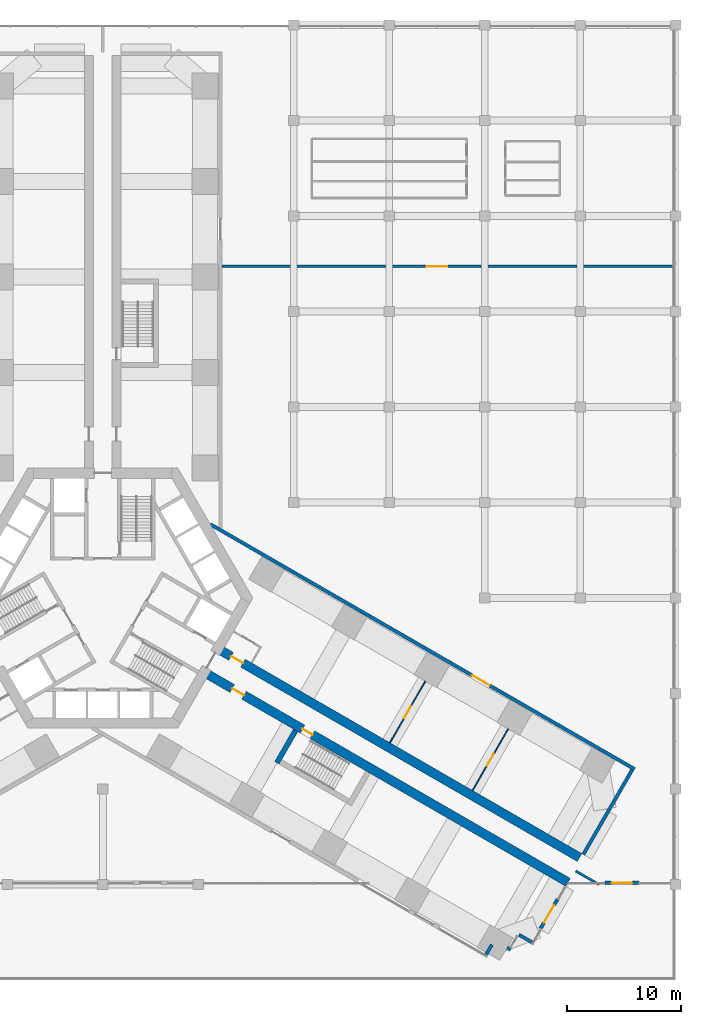
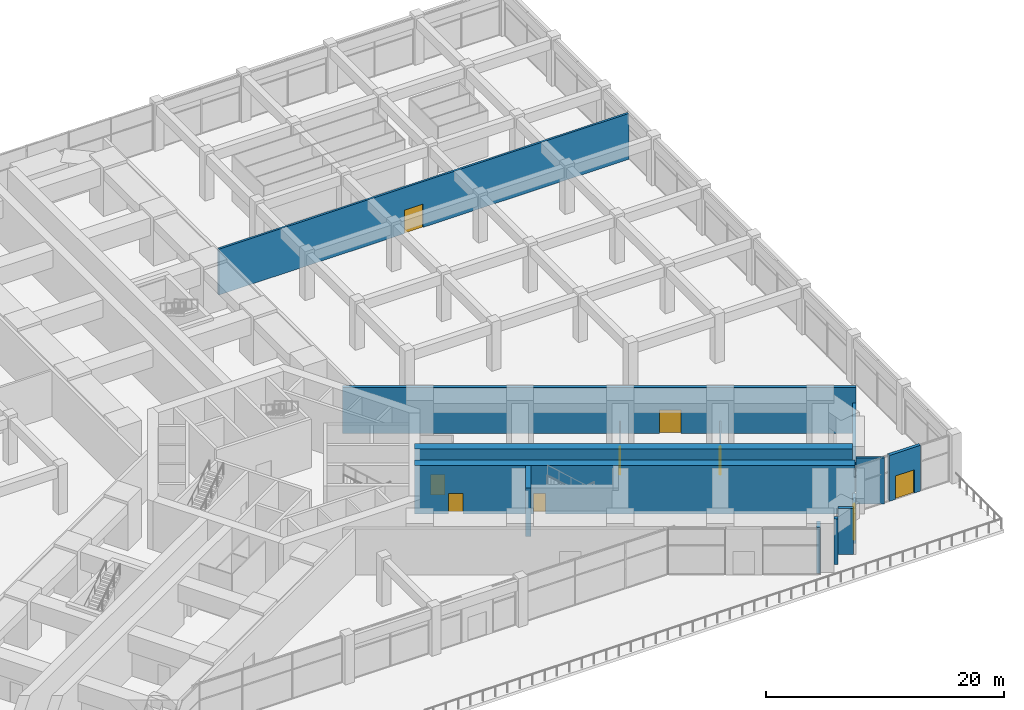
# One storey, part 30 of 34: 14 walls, 9 doors, 9 openings.
"""IFC4 building model written with IfcOpenShell, lengths in metres."""

from ifc_helpers import new_model, si_unit, direction, frame, frame_2d, origin, place, context, subcontext, project, spatial, rectangle, extrude, material, layer, layer_set, type_object, element, fill, save


model = new_model("IFC4")

# Units and contexts
model_context = context("Model", 3, precision=1e-05, world=origin(), true_north=direction((0.0, 1.0)))
body_context = subcontext(model_context, "Body", "Model", "MODEL_VIEW")
ifc_project = project(units=[si_unit("LENGTHUNIT", "METRE"), si_unit("AREAUNIT", "SQUARE_METRE"), si_unit("VOLUMEUNIT", "CUBIC_METRE"), si_unit("PLANEANGLEUNIT", "RADIAN"), si_unit("MASSUNIT", "GRAM", prefix="KILO")], contexts=[model_context])

# Site, building, storey
site_placement = place(None, origin())
site = spatial("IfcSite", under=ifc_project, at=site_placement, CompositionType="ELEMENT")
building_placement = place(site_placement, origin())
building = spatial("IfcBuilding", under=site, at=building_placement, Name="Impinga Residences", CompositionType="ELEMENT")
storey_placement = place(building_placement, frame((0.0, 0.0, 11.0)))
storey = spatial("IfcBuildingStorey", under=building, at=storey_placement, Name="L02", CompositionType="ELEMENT", Elevation=11.0)

# Wall, opening, door
ifc_material_1 = material(Name="Concrete C70/85", Category="concrete")
ifc_layer_1 = layer(ifc_material_1, 0.800048828125)
ifc_layer_set_1 = layer_set([ifc_layer_1], Name="Concrete C70/85")
wall_type_1 = type_object("IfcWallType", Name="BW0 corridor buttress wall, B3 to L04 800", PredefinedType="SHEAR", material=ifc_layer_set_1)
wall_1_placement = place(storey_placement, frame((10.1103515625, -4.451416015625, 0.0), z_axis=(0.0, 0.0, 1.0), x_axis=(0.866025284237, -0.500000207062, 0.0)))
wall_1 = element("IfcWall", 1, at=wall_1_placement, inside=storey, type_object=wall_type_1, Name="Corridor wall BW0 EC L02", PredefinedType="SHEAR", context=body_context, shape_type="SweptSolid", body=[
    extrude(rectangle(XDim=36.75, YDim=0.800048828125, at=frame_2d((18.375, 0.0))), origin(), (0.0, 0.0, 1.0), 5.0),
])
opening_1_placement = place(wall_1_placement, frame((1.35009765625, 0.0, 0.0)))
opening_1 = element("IfcOpeningElement", 2, at=opening_1_placement, cuts=wall_1, Name="Opening D3", PredefinedType="OPENING", context=body_context, shape_type="SweptSolid", body=[
    extrude(rectangle(XDim=1.199951171875, YDim=2.10009765625, at=frame_2d((0.60009765625, 1.050048828125))), frame((0.0, 0.409912109375, 0.0), z_axis=(0.0, -1.0, 0.0), x_axis=(1.0, 0.0, 0.0)), (0.0, 0.0, 1.0), 0.820068359375),
])
ifc_material_2 = material(Name="Timber door set", Category="wood")
door_type_1 = type_object("IfcDoorType", Name="D3 room door, leaf and a half 1200x2100", OperationType="DOUBLE_SWING_LEFT", PredefinedType="DOOR", material=ifc_material_2)
door_1_placement = place(opening_1_placement, origin())
door_1 = element("IfcDoor", 3, at=door_1_placement, inside=storey, type_object=door_type_1, Name="Pool plant room lobby door L02-EA1", OperationType="DOUBLE_SWING_LEFT", OverallHeight=2.10009765625, OverallWidth=1.199951171875, PredefinedType="DOOR", context=body_context, shape_type="SweptSolid", body=[
    extrude(rectangle(XDim=1.199951171875, YDim=2.10009765625, at=frame_2d((0.60009765625, 1.050048828125))), frame((0.0, 0.02490234375, 0.0), z_axis=(0.0, -1.0, 0.0), x_axis=(1.0, 0.0, 0.0)), (0.0, 0.0, 1.0), 0.050048828125),
])
fill(opening_1, door_1)

# Wall, openings, doors
wall_2_placement = place(storey_placement, frame((8.910400390625, -6.530029296875, 0.0), z_axis=(0.0, 0.0, 1.0), x_axis=(0.866024404313, -0.500001731131, 0.0)))
wall_2 = element("IfcWall", 4, at=wall_2_placement, inside=storey, type_object=wall_type_1, Name="Corridor wall BW0 ED L02", PredefinedType="SHEAR", context=body_context, shape_type="SweptSolid", body=[
    extrude(rectangle(XDim=36.952880859375, YDim=0.800048828125, at=frame_2d((18.4765625, 0.0))), origin(), (0.0, 0.0, 1.0), 5.0),
])
opening_2_placement = place(wall_2_placement, frame((10.0, 0.0, 0.0)))
opening_2 = element("IfcOpeningElement", 5, at=opening_2_placement, cuts=wall_2, Name="Opening D5", PredefinedType="OPENING", context=body_context, shape_type="SweptSolid", body=[
    extrude(rectangle(XDim=1.0, YDim=2.10009765625, at=frame_2d((0.5, 1.050048828125))), frame((0.0, 0.409912109375, 0.0), z_axis=(0.0, -1.0, 0.0), x_axis=(1.0, 0.0, 0.0)), (0.0, 0.0, 1.0), 0.820068359375),
])
opening_3_placement = place(wall_2_placement, frame((2.85009765625, 0.0, 0.0)))
opening_3 = element("IfcOpeningElement", 6, at=opening_3_placement, cuts=wall_2, Name="Opening D3", PredefinedType="OPENING", context=body_context, shape_type="SweptSolid", body=[
    extrude(rectangle(XDim=1.199951171875, YDim=2.10009765625, at=frame_2d((0.60009765625, 1.050048828125))), frame((0.0, 0.409912109375, 0.0), z_axis=(0.0, -1.0, 0.0), x_axis=(1.0, 0.0, 0.0)), (0.0, 0.0, 1.0), 0.820068359375),
])
door_2_placement = place(opening_3_placement, origin())
door_2 = element("IfcDoor", 7, at=door_2_placement, inside=storey, type_object=door_type_1, Name="Studio door L02-EF1", OperationType="DOUBLE_SWING_LEFT", OverallHeight=2.10009765625, OverallWidth=1.199951171875, PredefinedType="DOOR", context=body_context, shape_type="SweptSolid", body=[
    extrude(rectangle(XDim=1.199951171875, YDim=2.10009765625, at=frame_2d((0.60009765625, 1.050048828125))), frame((0.0, 0.02490234375, 0.0), z_axis=(0.0, -1.0, 0.0), x_axis=(1.0, 0.0, 0.0)), (0.0, 0.0, 1.0), 0.050048828125),
])
fill(opening_3, door_2)
door_type_2 = type_object("IfcDoorType", Name="D5 stair door 1000x2100", OperationType="SINGLE_SWING_LEFT", PredefinedType="DOOR", material=ifc_material_2)
door_3_placement = place(opening_2_placement, origin())
door_3 = element("IfcDoor", 8, at=door_3_placement, inside=storey, type_object=door_type_2, Name="Wing stair door E", OperationType="SINGLE_SWING_LEFT", OverallHeight=2.10009765625, OverallWidth=1.0, PredefinedType="DOOR", context=body_context, shape_type="SweptSolid", body=[
    extrude(rectangle(XDim=1.0, YDim=2.10009765625, at=frame_2d((0.5, 1.050048828125))), frame((0.0, 0.02490234375, 0.0), z_axis=(0.0, -1.0, 0.0), x_axis=(1.0, 0.0, 0.0)), (0.0, 0.0, 1.0), 0.050048828125),
])
fill(opening_2, door_3)

# Wall, opening, door
ifc_material_3 = material(Name="Concrete blockwork", Category="masonry")
ifc_layer_2 = layer(ifc_material_3, 0.10009765625)
ifc_layer_set_2 = layer_set([ifc_layer_2], Name="CP1 core room partition, blockwork 100")
wall_type_2 = type_object("IfcWallType", Name="CP1 core room partition, blockwork 100", PredefinedType="PARTITIONING", material=ifc_layer_set_2)
wall_3_placement = place(storey_placement, frame((25.249267578125, -12.730224609375, 0.0), z_axis=(0.0, 0.0, 1.0), x_axis=(0.499987320047, 0.866032724435, 0.0)))
wall_3 = element("IfcWall", 9, at=wall_3_placement, inside=storey, type_object=wall_type_2, Name="Core room partition, blockwork L02-EA1:PS1", PredefinedType="PARTITIONING", context=body_context, shape_type="SweptSolid", body=[
    extrude(rectangle(XDim=6.250244140625, YDim=0.10009765625, at=frame_2d((3.125, 0.0))), origin(), (0.0, 0.0, 1.0), 2.89990234375),
])
opening_4_placement = place(wall_3_placement, frame((2.52490234375, 0.0, 0.0)))
opening_4 = element("IfcOpeningElement", 10, at=opening_4_placement, cuts=wall_3, Name="Opening D3", PredefinedType="OPENING", context=body_context, shape_type="SweptSolid", body=[
    extrude(rectangle(XDim=1.199951171875, YDim=2.10009765625, at=frame_2d((0.60009765625, 1.050048828125))), frame((0.0, 0.06005859375, 0.0), z_axis=(0.0, -1.0, 0.0), x_axis=(1.0, 0.0, 0.0)), (0.0, 0.0, 1.0), 0.1201171875),
])
door_4_placement = place(opening_4_placement, origin())
door_4 = element("IfcDoor", 11, at=door_4_placement, inside=storey, type_object=door_type_1, Name="Chemical store door L02-EA1", OperationType="DOUBLE_SWING_LEFT", OverallHeight=2.10009765625, OverallWidth=1.199951171875, PredefinedType="DOOR", context=body_context, shape_type="SweptSolid", body=[
    extrude(rectangle(XDim=1.199951171875, YDim=2.10009765625, at=frame_2d((0.60009765625, 1.050048828125))), frame((0.0, 0.02490234375, 0.0), z_axis=(0.0, -1.0, 0.0), x_axis=(1.0, 0.0, 0.0)), (0.0, 0.0, 1.0), 0.050048828125),
])
fill(opening_4, door_4)

wall_4_placement = place(storey_placement, frame((32.52392578125, -16.93017578125, 0.0), z_axis=(0.0, 0.0, 1.0), x_axis=(0.500004234368, 0.866022959057, 0.0)))
wall_4 = element("IfcWall", 12, at=wall_4_placement, inside=storey, type_object=wall_type_2, Name="Core room partition, blockwork L02-EA1:PS2", PredefinedType="PARTITIONING", context=body_context, shape_type="SweptSolid", body=[
    extrude(rectangle(XDim=6.25, YDim=0.10009765625, at=frame_2d((3.125, 0.0))), origin(), (0.0, 0.0, 1.0), 2.89990234375),
])
opening_5_placement = place(wall_4_placement, frame((2.52490234375, 0.0, 0.0)))
opening_5 = element("IfcOpeningElement", 13, at=opening_5_placement, cuts=wall_4, Name="Opening D3", PredefinedType="OPENING", context=body_context, shape_type="SweptSolid", body=[
    extrude(rectangle(XDim=1.199951171875, YDim=2.10009765625, at=frame_2d((0.60009765625, 1.050048828125))), frame((0.0, 0.06005859375, 0.0), z_axis=(0.0, -1.0, 0.0), x_axis=(1.0, 0.0, 0.0)), (0.0, 0.0, 1.0), 0.1201171875),
])
door_5_placement = place(opening_5_placement, origin())
door_5 = element("IfcDoor", 14, at=door_5_placement, inside=storey, type_object=door_type_1, Name="Pool plant room door L02-EA1", OperationType="DOUBLE_SWING_LEFT", OverallHeight=2.10009765625, OverallWidth=1.199951171875, PredefinedType="DOOR", context=body_context, shape_type="SweptSolid", body=[
    extrude(rectangle(XDim=1.199951171875, YDim=2.10009765625, at=frame_2d((0.60009765625, 1.050048828125))), frame((0.0, 0.02490234375, 0.0), z_axis=(0.0, -1.0, 0.0), x_axis=(1.0, 0.0, 0.0)), (0.0, 0.0, 1.0), 0.050048828125),
])
fill(opening_5, door_5)

ifc_material_4 = material(Name="Stone facing on blockwork", Category="masonry")
ifc_layer_3 = layer(ifc_material_4, 0.300048828125)
ifc_layer_set_3 = layer_set([ifc_layer_3], Name="EW2 external wall, stone facing on blockwork 300")
wall_type_3 = type_object("IfcWallType", Name="EW2 external wall, stone facing on blockwork 300", PredefinedType="SOLIDWALL", material=ifc_layer_set_3)
wall_5_placement = place(storey_placement, frame((47.156494140625, -25.050048828125, 0.0), z_axis=(0.0, 0.0, 1.0), x_axis=(-1.0, 0.0, 0.0)))
wall_5 = element("IfcWall", 15, at=wall_5_placement, inside=storey, type_object=wall_type_3, Name="External wall EW2 L02", PredefinedType="SOLIDWALL", context=body_context, shape_type="SweptSolid", body=[
    extrude(rectangle(XDim=3.0, YDim=0.300048828125, at=frame_2d((1.5, 0.0))), origin(), (0.0, 0.0, 1.0), 4.699951171875),
])
opening_6_placement = place(wall_5_placement, frame((0.60009765625, 0.0, 0.0)))
opening_6 = element("IfcOpeningElement", 16, at=opening_6_placement, cuts=wall_5, Name="Opening TD2", PredefinedType="OPENING", context=body_context, shape_type="SweptSolid", body=[
    extrude(rectangle(XDim=1.800048828125, YDim=2.39990234375, at=frame_2d((0.89990234375, 1.199951171875))), frame((0.0, 0.159912109375, 0.0), z_axis=(0.0, -1.0, 0.0), x_axis=(1.0, 0.0, 0.0)), (0.0, 0.0, 1.0), 0.320068359375),
])
ifc_material_5 = material(Name="Glazed aluminium door", Category="aluminium")
door_type_3 = type_object("IfcDoorType", Name="TD2 terrace door pair 1800x2400", OperationType="DOUBLE_DOOR_SINGLE_SWING", PredefinedType="DOOR", material=ifc_material_5)
door_6_placement = place(opening_6_placement, origin())
door_6 = element("IfcDoor", 17, at=door_6_placement, inside=storey, type_object=door_type_3, Name="Terrace doors L02", OperationType="DOUBLE_DOOR_SINGLE_SWING", OverallHeight=2.39990234375, OverallWidth=1.800048828125, PredefinedType="DOOR", context=body_context, shape_type="SweptSolid", body=[
    extrude(rectangle(XDim=1.800048828125, YDim=2.39990234375, at=frame_2d((0.89990234375, 1.199951171875))), frame((0.0, 0.02490234375, 0.0), z_axis=(0.0, -1.0, 0.0), x_axis=(1.0, 0.0, 0.0)), (0.0, 0.0, 1.0), 0.050048828125),
])
fill(opening_6, door_6)

wall_6_placement = place(storey_placement, frame((39.999755859375, -26.4814453125, 0.0), z_axis=(0.0, 0.0, 1.0), x_axis=(-0.499990139034, -0.866031096941, 0.0)))
wall_6 = element("IfcWall", 18, at=wall_6_placement, inside=storey, type_object=wall_type_3, Name="External wall EW2 L02", PredefinedType="SOLIDWALL", context=body_context, shape_type="SweptSolid", body=[
    extrude(rectangle(XDim=3.0, YDim=0.300048828125, at=frame_2d((1.5, 0.0))), origin(), (0.0, 0.0, 1.0), 3.10009765625),
])
opening_7_placement = place(wall_6_placement, frame((0.60009765625, 0.0, 0.0)))
opening_7 = element("IfcOpeningElement", 19, at=opening_7_placement, cuts=wall_6, Name="Opening TD2", PredefinedType="OPENING", context=body_context, shape_type="SweptSolid", body=[
    extrude(rectangle(XDim=1.800048828125, YDim=2.39990234375, at=frame_2d((0.89990234375, 1.199951171875))), frame((0.0, 0.159912109375, 0.0), z_axis=(0.0, -1.0, 0.0), x_axis=(1.0, 0.0, 0.0)), (0.0, 0.0, 1.0), 0.320068359375),
])
door_7_placement = place(opening_7_placement, origin())
door_7 = element("IfcDoor", 20, at=door_7_placement, inside=storey, type_object=door_type_3, Name="Terrace doors L02", OperationType="DOUBLE_DOOR_SINGLE_SWING", OverallHeight=2.39990234375, OverallWidth=1.800048828125, PredefinedType="DOOR", context=body_context, shape_type="SweptSolid", body=[
    extrude(rectangle(XDim=1.800048828125, YDim=2.39990234375, at=frame_2d((0.89990234375, 1.199951171875))), frame((0.0, 0.02490234375, 0.0), z_axis=(0.0, -1.0, 0.0), x_axis=(1.0, 0.0, 0.0)), (0.0, 0.0, 1.0), 0.050048828125),
])
fill(opening_7, door_7)

# Walls
wall_7_placement = place(storey_placement, frame((37.752685546875, -30.283447265625, 0.0), z_axis=(0.0, 0.0, 1.0), x_axis=(-0.866101796549, 0.4998676605, 0.0)))
element("IfcWall", 21, at=wall_7_placement, inside=storey, type_object=wall_type_3, Name="External wall EW2 L02", PredefinedType="SOLIDWALL", context=body_context, shape_type="SweptSolid", body=[
    extrude(rectangle(XDim=1.309814453125, YDim=0.300048828125, at=frame_2d((0.65478515625, 0.0))), origin(), (0.0, 0.0, 1.0), 4.699951171875),
])
wall_8_placement = place(storey_placement, frame((35.87255859375, -30.93017578125, 0.0), z_axis=(0.0, 0.0, 1.0), x_axis=(-0.865939549016, 0.500148675346, 0.0)))
element("IfcWall", 22, at=wall_8_placement, inside=storey, type_object=wall_type_3, Name="External wall EW2 L02", PredefinedType="SOLIDWALL", context=body_context, shape_type="SweptSolid", body=[
    extrude(rectangle(XDim=0.34716796875, YDim=0.300048828125, at=frame_2d((0.173583984375, 0.0))), origin(), (0.0, 0.0, 1.0), 4.699951171875),
])
wall_9_placement = place(storey_placement, frame((34.218505859375, -30.494873046875, 0.0), z_axis=(0.0, 0.0, 1.0), x_axis=(-0.499953773667, -0.866052090925, 0.0)))
element("IfcWall", 23, at=wall_9_placement, inside=storey, type_object=wall_type_3, Name="External wall EW2 L02", PredefinedType="SOLIDWALL", context=body_context, shape_type="SweptSolid", body=[
    extrude(rectangle(XDim=1.0048828125, YDim=0.300048828125, at=frame_2d((0.50244140625, 0.0))), origin(), (0.0, 0.0, 1.0), 4.699951171875),
])
ifc_layer_4 = layer(ifc_material_3, 0.199951171875)
ifc_layer_set_4 = layer_set([ifc_layer_4], Name="PW2 podium compartment wall 200")
wall_type_4 = type_object("IfcWallType", Name="PW2 podium compartment wall 200", PredefinedType="SOLIDWALL", material=ifc_layer_set_4)
wall_10_placement = place(storey_placement, frame((41.596435546875, -24.015869140625, 0.0), z_axis=(0.0, 0.0, 1.0), x_axis=(0.866065436262, -0.499930655304, 0.0)))
element("IfcWall", 24, at=wall_10_placement, inside=storey, type_object=wall_type_4, Name="Podium compartment wall L02:REG:E", PredefinedType="SOLIDWALL", context=body_context, shape_type="SweptSolid", body=[
    extrude(rectangle(XDim=2.368408203125, YDim=0.199951171875, at=frame_2d((1.18408203125, 0.0))), origin(), (0.0, 0.0, 1.0), 4.699951171875),
])

# Wall, opening, door
wall_11_placement = place(storey_placement, frame((10.5, 29.18310546875, 0.0), z_axis=(0.0, 0.0, 1.0), x_axis=(1.0, 0.0, 0.0)))
wall_11 = element("IfcWall", 25, at=wall_11_placement, inside=storey, type_object=wall_type_4, Name="Podium compartment wall L02:REG:NE:SPLIT", PredefinedType="SOLIDWALL", context=body_context, shape_type="SweptSolid", body=[
    extrude(rectangle(XDim=39.737060546875, YDim=0.199951171875, at=frame_2d((19.86865234375, 0.0))), origin(), (0.0, 0.0, 1.0), 4.699951171875),
])
opening_8_placement = place(wall_11_placement, frame((18.0, 0.0, 0.0)))
opening_8 = element("IfcOpeningElement", 26, at=opening_8_placement, cuts=wall_11, Name="Opening D7", PredefinedType="OPENING", context=body_context, shape_type="SweptSolid", body=[
    extrude(rectangle(XDim=1.800048828125, YDim=2.39990234375, at=frame_2d((0.89990234375, 1.199951171875))), frame((0.0, 0.10986328125, 0.0), z_axis=(0.0, -1.0, 0.0), x_axis=(1.0, 0.0, 0.0)), (0.0, 0.0, 1.0), 0.219970703125),
])
door_type_4 = type_object("IfcDoorType", Name="D7 podium door pair 1800x2400", OperationType="DOUBLE_DOOR_DOUBLE_SWING", PredefinedType="DOOR", material=ifc_material_2)
door_8_placement = place(opening_8_placement, origin())
door_8 = element("IfcDoor", 27, at=door_8_placement, inside=storey, type_object=door_type_4, Name="Double door Residents' lounge", OperationType="DOUBLE_DOOR_DOUBLE_SWING", OverallHeight=2.39990234375, OverallWidth=1.800048828125, PredefinedType="DOOR", context=body_context, shape_type="SweptSolid", body=[
    extrude(rectangle(XDim=1.800048828125, YDim=2.39990234375, at=frame_2d((0.89990234375, 1.199951171875))), frame((0.0, 0.02490234375, 0.0), z_axis=(0.0, -1.0, 0.0), x_axis=(1.0, 0.0, 0.0)), (0.0, 0.0, 1.0), 0.050048828125),
])
fill(opening_8, door_8)

# Wall
ifc_layer_5 = layer(ifc_material_3, 0.300048828125)
ifc_layer_set_5 = layer_set([ifc_layer_5], Name="PW3 podium wall on the wing face 300")
wall_type_5 = type_object("IfcWallType", Name="PW3 podium wall on the wing face 300", PredefinedType="SOLIDWALL", material=ifc_layer_set_5)
wall_12_placement = place(storey_placement, frame((42.2666015625, -22.55517578125, 0.0), z_axis=(0.0, 0.0, 1.0), x_axis=(0.500007509209, 0.866021068297, 0.0)))
element("IfcWall", 28, at=wall_12_placement, inside=storey, type_object=wall_type_5, Name="Podium wall on the wing face L02:END:EA", PredefinedType="SOLIDWALL", context=body_context, shape_type="SweptSolid", body=[
    extrude(rectangle(XDim=8.599853515625, YDim=0.300048828125, at=frame_2d((4.2998046875, 0.0))), origin(), (0.0, 0.0, 1.0), 3.10009765625),
])

# Wall, opening, door
wall_13_placement = place(storey_placement, frame((9.449951171875, 6.4951171875, 0.0), z_axis=(0.0, 0.0, 1.0), x_axis=(0.866025301493, -0.500000177174, 0.0)))
wall_13 = element("IfcWall", 29, at=wall_13_placement, inside=storey, type_object=wall_type_5, Name="Podium wall on the wing face L02:SIDE:EA0", PredefinedType="SOLIDWALL", context=body_context, shape_type="SweptSolid", body=[
    extrude(rectangle(XDim=43.09521484375, YDim=0.300048828125, at=frame_2d((21.547607421875, 0.0))), origin(), (0.0, 0.0, 1.0), 4.699951171875),
])
opening_9_placement = place(wall_13_placement, frame((26.59521484375, 0.0, 0.0)))
opening_9 = element("IfcOpeningElement", 30, at=opening_9_placement, cuts=wall_13, Name="Opening D7", PredefinedType="OPENING", context=body_context, shape_type="SweptSolid", body=[
    extrude(rectangle(XDim=1.800048828125, YDim=2.39990234375, at=frame_2d((0.89990234375, 1.199951171875))), frame((0.0, 0.159912109375, 0.0), z_axis=(0.0, -1.0, 0.0), x_axis=(1.0, 0.0, 0.0)), (0.0, 0.0, 1.0), 0.320068359375),
])
door_9_placement = place(opening_9_placement, origin())
door_9 = element("IfcDoor", 31, at=door_9_placement, inside=storey, type_object=door_type_4, Name="Double door EA", OperationType="DOUBLE_DOOR_DOUBLE_SWING", OverallHeight=2.39990234375, OverallWidth=1.800048828125, PredefinedType="DOOR", context=body_context, shape_type="SweptSolid", body=[
    extrude(rectangle(XDim=1.800048828125, YDim=2.39990234375, at=frame_2d((0.89990234375, 1.199951171875))), frame((0.0, 0.02490234375, 0.0), z_axis=(0.0, -1.0, 0.0), x_axis=(1.0, 0.0, 0.0)), (0.0, 0.0, 1.0), 0.050048828125),
])
fill(opening_9, door_9)

# Wall
ifc_material_6 = material(Name="Concrete C60/75", Category="concrete")
ifc_layer_6 = layer(ifc_material_6, 0.449951171875)
ifc_layer_set_6 = layer_set([ifc_layer_6], Name="Concrete C60/75")
wall_type_6 = type_object("IfcWallType", Name="SE2 wing stair enclosure wall, ground and podium storeys 450", PredefinedType="SOLIDWALL", material=ifc_layer_set_6)
wall_14_placement = place(storey_placement, frame((16.959228515625, -11.638916015625, 0.0), z_axis=(0.0, 0.0, 1.0), x_axis=(-0.50002983664, -0.866008176907, 0.0)))
element("IfcWall", 32, at=wall_14_placement, inside=storey, type_object=wall_type_6, Name="Stair enclosure wall SE2 E END0 L02", PredefinedType="SOLIDWALL", context=body_context, shape_type="SweptSolid", body=[
    extrude(rectangle(XDim=3.300048828125, YDim=0.449951171875, at=frame_2d((1.64990234375, 0.0))), origin(), (0.0, 0.0, 1.0), 5.0),
])

save(model, "model.ifc")
